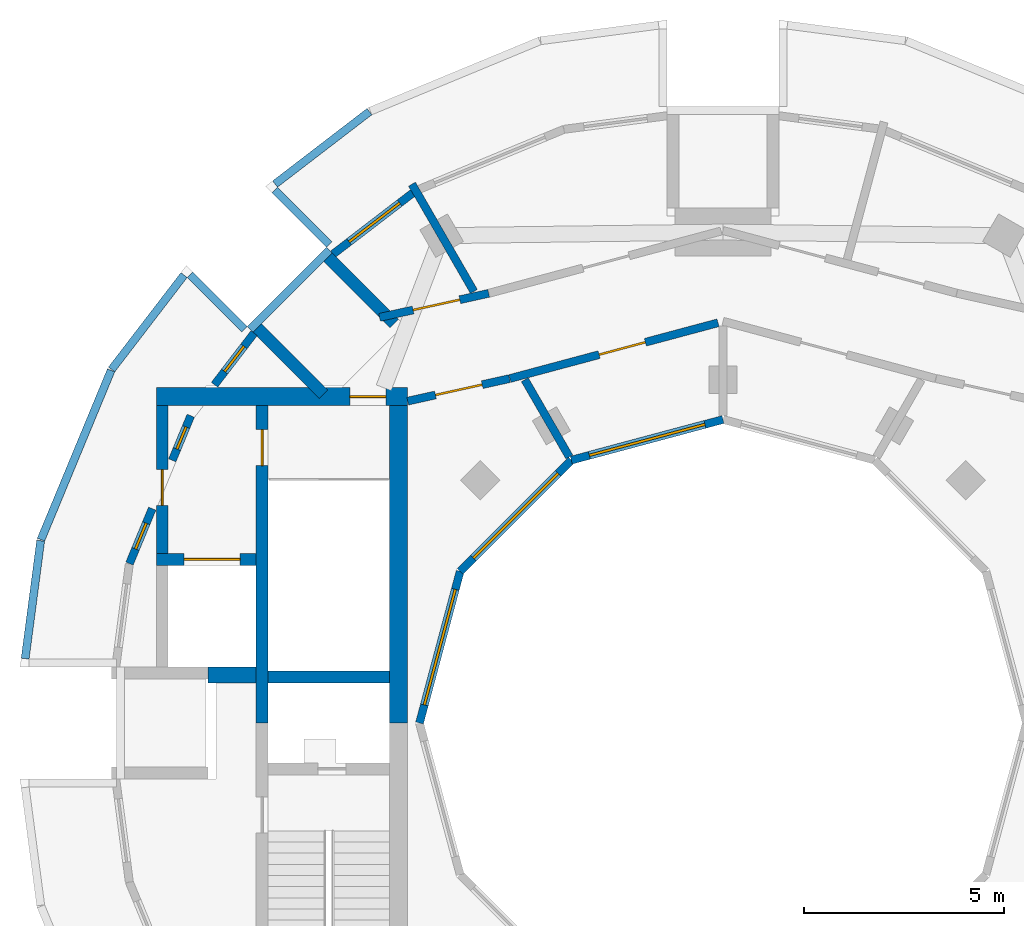
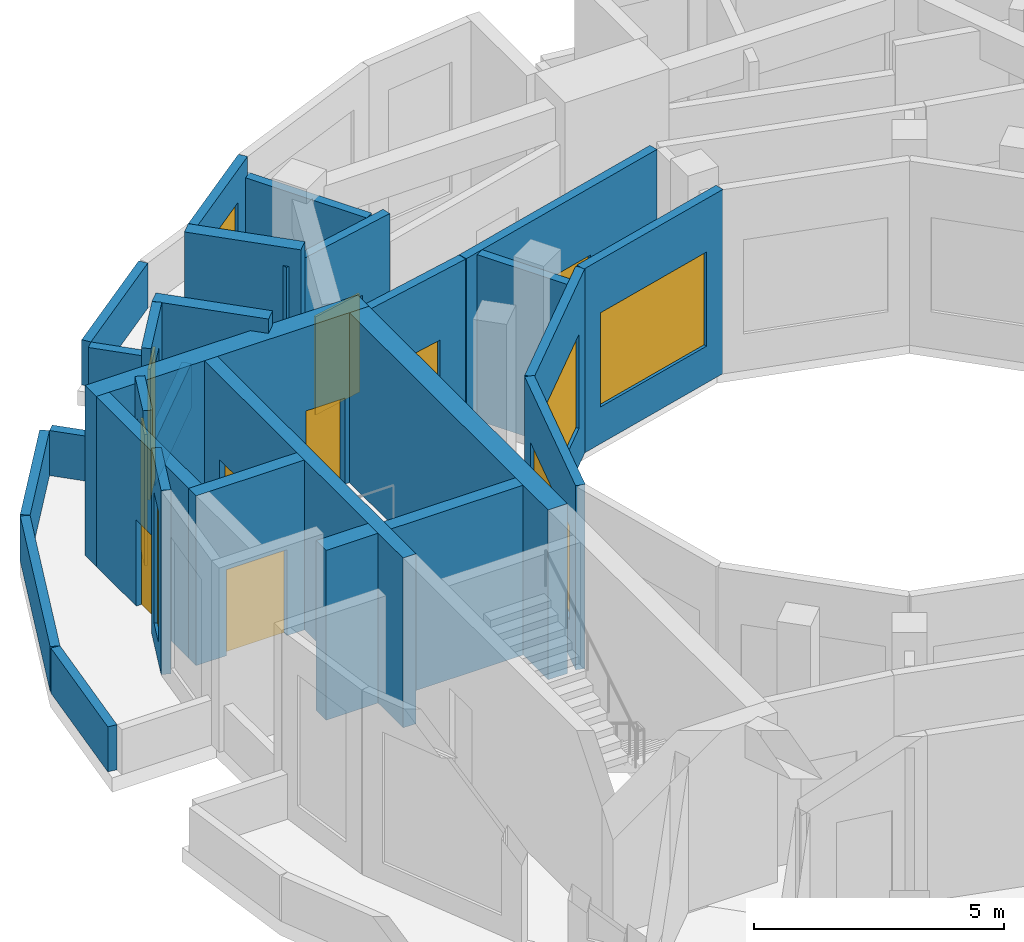
# One storey, part 4 of 7: 28 walls, 7 doors, 7 windows, 14 openings.
"""IFC4 building model written with IfcOpenShell, lengths in metres."""

from ifc_helpers import new_model, si_unit, direction, frame, frame_2d, origin, place, context, subcontext, project, spatial, rectangle, extrude, material, layer, layer_set, type_object, element, fill, save


model = new_model("IFC4")

# Units and contexts
model_context = context("Model", 3, precision=1e-05, world=origin(), true_north=direction((0.0, 1.0)))
body_context = subcontext(model_context, "Body", "Model", "MODEL_VIEW")
ifc_project = project(units=[si_unit("LENGTHUNIT", "METRE"), si_unit("AREAUNIT", "SQUARE_METRE"), si_unit("VOLUMEUNIT", "CUBIC_METRE"), si_unit("PLANEANGLEUNIT", "RADIAN"), si_unit("MASSUNIT", "GRAM", prefix="KILO")], contexts=[model_context])

# Site, building, storey
site_placement = place(None, origin())
site = spatial("IfcSite", under=ifc_project, at=site_placement, CompositionType="ELEMENT")
building_placement = place(site_placement, origin())
building = spatial("IfcBuilding", under=site, at=building_placement, Name="Torre Brocal", CompositionType="ELEMENT")
storey_placement = place(building_placement, frame((0.0, 0.0, 333.10009765625)))
storey = spatial("IfcBuildingStorey", under=building, at=storey_placement, Name="L76", CompositionType="ELEMENT", Elevation=333.10009765625)

# Wall, opening, door
ifc_material_1 = material(Name="Concrete C50", Category="concrete")
ifc_layer_1 = layer(ifc_material_1, 0.300048828125)
ifc_layer_set_1 = layer_set([ifc_layer_1], Name="Concrete C50")
wall_type_1 = type_object("IfcWallType", Name="CORE WALL 300 C50 UNDER 350 SLAB", PredefinedType="SHEAR", material=ifc_layer_set_1)
wall_1_placement = place(storey_placement, frame((68.449951171875, 82.949951171875, 0.0), z_axis=(0.0, 0.0, 1.0), x_axis=(0.0, -1.0, 0.0)))
wall_1 = element("IfcWall", 1, at=wall_1_placement, inside=storey, type_object=wall_type_1, Name="Wall CW300-50-S350", PredefinedType="SHEAR", context=body_context, shape_type="SweptSolid", body=[
    extrude(rectangle(XDim=7.949951171875, YDim=0.300048828125, at=frame_2d((3.97509765625, 0.0))), origin(), (0.0, 0.0, 1.0), 4.14990234375),
])
opening_1_placement = place(wall_1_placement, frame((0.60009765625, 0.0, 0.0)))
opening_1 = element("IfcOpeningElement", 2, at=opening_1_placement, cuts=wall_1, Name="Opening W-D03", PredefinedType="OPENING", context=body_context, shape_type="SweptSolid", body=[
    extrude(rectangle(XDim=0.89990234375, YDim=2.10009765625, at=frame_2d((0.449951171875, 1.050048828125))), frame((0.0, 0.159912109375, 0.0), z_axis=(0.0, -1.0, 0.0), x_axis=(1.0, 0.0, 0.0)), (0.0, 0.0, 1.0), 0.320068359375),
])
ifc_material_2 = material(Name="Steel A653", Category="steel")
door_type_1 = type_object("IfcDoorType", Name="STAIR DOOR FD120 900X2100", OperationType="SINGLE_SWING_RIGHT", PredefinedType="DOOR", material=ifc_material_2)
door_1_placement = place(opening_1_placement, origin())
door_1 = element("IfcDoor", 3, at=door_1_placement, inside=storey, type_object=door_type_1, Name="Door W-D03", OperationType="SINGLE_SWING_LEFT", OverallHeight=2.10009765625, OverallWidth=0.89990234375, PredefinedType="DOOR", context=body_context, shape_type="SweptSolid", body=[
    extrude(rectangle(XDim=0.89990234375, YDim=2.10009765625, at=frame_2d((0.449951171875, 1.050048828125))), frame((0.0, 0.02490234375, 0.0), z_axis=(0.0, -1.0, 0.0), x_axis=(1.0, 0.0, 0.0)), (0.0, 0.0, 1.0), 0.050048828125),
])
fill(opening_1, door_1)

# Wall
wall_2_placement = place(storey_placement, frame((71.64990234375, 76.14990234375, 0.0), z_axis=(0.0, 0.0, 1.0), x_axis=(-1.0, 0.0, 0.0)))
element("IfcWall", 4, at=wall_2_placement, inside=storey, type_object=wall_type_1, Name="Wall CW300-50-S350", PredefinedType="SHEAR", context=body_context, shape_type="SweptSolid", body=[
    extrude(rectangle(XDim=3.0498046875, YDim=0.300048828125, at=frame_2d((1.52490234375, 0.0))), origin(), (0.0, 0.0, 1.0), 4.14990234375),
])

# Wall, opening, door
wall_3_placement = place(storey_placement, frame((68.300048828125, 79.10009765625, 0.0), z_axis=(0.0, 0.0, 1.0), x_axis=(-1.0, 0.0, 0.0)))
wall_3 = element("IfcWall", 5, at=wall_3_placement, inside=storey, type_object=wall_type_1, Name="Wall CW300-50-S350", PredefinedType="SHEAR", context=body_context, shape_type="SweptSolid", body=[
    extrude(rectangle(XDim=2.5, YDim=0.300048828125, at=frame_2d((1.25, 0.0))), origin(), (0.0, 0.0, 1.0), 4.14990234375),
])
opening_2_placement = place(wall_3_placement, frame((0.39990234375, 0.0, 0.0)))
opening_2 = element("IfcOpeningElement", 6, at=opening_2_placement, cuts=wall_3, Name="Opening LD14", PredefinedType="OPENING", context=body_context, shape_type="SweptSolid", body=[
    extrude(rectangle(XDim=1.39990234375, YDim=2.10009765625, at=frame_2d((0.699951171875, 1.050048828125))), frame((0.0, 0.159912109375, 0.0), z_axis=(0.0, -1.0, 0.0), x_axis=(1.0, 0.0, 0.0)), (0.0, 0.0, 1.0), 0.320068359375),
])
ifc_material_3 = material(Name="Stainless steel AISI 316", Category="steel")
door_type_2 = type_object("IfcDoorType", Name="LIFT LANDING DOOR 1400X2100", OperationType="DOUBLE_DOOR_SLIDING", PredefinedType="DOOR", material=ifc_material_3)
door_2_placement = place(opening_2_placement, origin())
door_2 = element("IfcDoor", 7, at=door_2_placement, inside=storey, type_object=door_type_2, Name="Door LD14", OperationType="DOUBLE_DOOR_SLIDING", OverallHeight=2.10009765625, OverallWidth=1.39990234375, PredefinedType="DOOR", context=body_context, shape_type="SweptSolid", body=[
    extrude(rectangle(XDim=1.39990234375, YDim=2.10009765625, at=frame_2d((0.699951171875, 1.050048828125))), frame((0.0, 0.02490234375, 0.0), z_axis=(0.0, -1.0, 0.0), x_axis=(1.0, 0.0, 0.0)), (0.0, 0.0, 1.0), 0.050048828125),
])
fill(opening_2, door_2)

wall_4_placement = place(storey_placement, frame((65.949951171875, 82.949951171875, 0.0), z_axis=(0.0, 0.0, 1.0), x_axis=(0.0, -1.0, 0.0)))
wall_4 = element("IfcWall", 8, at=wall_4_placement, inside=storey, type_object=wall_type_1, Name="Wall CW300-50-S350", PredefinedType="SHEAR", context=body_context, shape_type="SweptSolid", body=[
    extrude(rectangle(XDim=3.699951171875, YDim=0.300048828125, at=frame_2d((1.85009765625, 0.0))), origin(), (0.0, 0.0, 1.0), 4.14990234375),
])
opening_3_placement = place(wall_4_placement, frame((1.60009765625, 0.0, 0.0)))
opening_3 = element("IfcOpeningElement", 9, at=opening_3_placement, cuts=wall_4, Name="Opening W-D04", PredefinedType="OPENING", context=body_context, shape_type="SweptSolid", body=[
    extrude(rectangle(XDim=0.89990234375, YDim=2.10009765625, at=frame_2d((0.449951171875, 1.050048828125))), frame((0.0, 0.159912109375, 0.0), z_axis=(0.0, -1.0, 0.0), x_axis=(1.0, 0.0, 0.0)), (0.0, 0.0, 1.0), 0.320068359375),
])
ifc_material_4 = material(Name="Steel A653", Category="steel")
door_type_3 = type_object("IfcDoorType", Name="ROOM DOOR FD30S 900X2100", OperationType="SINGLE_SWING_LEFT", PredefinedType="DOOR", material=ifc_material_4)
door_3_placement = place(opening_3_placement, frame((0.89990234375, 0.0, 0.0), z_axis=(0.0, 0.0, 1.0), x_axis=(-1.0, 0.0, 0.0)))
door_3 = element("IfcDoor", 10, at=door_3_placement, inside=storey, type_object=door_type_3, Name="Door W-D04", OperationType="SINGLE_SWING_LEFT", OverallHeight=2.10009765625, OverallWidth=0.89990234375, PredefinedType="DOOR", context=body_context, shape_type="SweptSolid", body=[
    extrude(rectangle(XDim=0.89990234375, YDim=2.10009765625, at=frame_2d((0.449951171875, 1.050048828125))), frame((0.0, 0.02490234375, 0.0), z_axis=(0.0, -1.0, 0.0), x_axis=(1.0, 0.0, 0.0)), (0.0, 0.0, 1.0), 0.050048828125),
])
fill(opening_3, door_3)

# Wall
ifc_material_5 = material(Name="Concrete C50", Category="concrete")
ifc_layer_2 = layer(ifc_material_5, 0.39990234375)
ifc_layer_set_2 = layer_set([ifc_layer_2], Name="Concrete C50")
wall_type_2 = type_object("IfcWallType", Name="CORE WALL 400 C50 UNDER 350 SLAB", PredefinedType="SHEAR", material=ifc_layer_set_2)
wall_5_placement = place(storey_placement, frame((68.300048828125, 76.199951171875, 0.0), z_axis=(0.0, 0.0, 1.0), x_axis=(-1.0, 0.0, 0.0)))
element("IfcWall", 11, at=wall_5_placement, inside=storey, type_object=wall_type_2, Name="Wall CW400-50-S350", PredefinedType="SHEAR", context=body_context, shape_type="SweptSolid", body=[
    extrude(rectangle(XDim=1.199951171875, YDim=0.39990234375, at=frame_2d((0.60009765625, 0.0))), origin(), (0.0, 0.0, 1.0), 4.14990234375),
])

# Wall, opening, door
ifc_material_6 = material(Name="Concrete C50", Category="concrete")
ifc_layer_3 = layer(ifc_material_6, 0.449951171875)
ifc_layer_set_3 = layer_set([ifc_layer_3], Name="Concrete C50")
wall_type_3 = type_object("IfcWallType", Name="CORE WALL 450 C50 UNDER 350 SLAB", PredefinedType="SHEAR", material=ifc_layer_set_3)
wall_6_placement = place(storey_placement, frame((72.10009765625, 83.175048828125, 0.0), z_axis=(0.0, 0.0, 1.0), x_axis=(-1.0, 0.0, 0.0)))
wall_6 = element("IfcWall", 12, at=wall_6_placement, inside=storey, type_object=wall_type_3, Name="Wall CW450-50-S350", PredefinedType="SHEAR", context=body_context, shape_type="SweptSolid", body=[
    extrude(rectangle(XDim=6.300048828125, YDim=0.449951171875, at=frame_2d((3.14990234375, 0.0))), origin(), (0.0, 0.0, 1.0), 4.14990234375),
])
opening_4_placement = place(wall_6_placement, frame((0.550048828125, 0.0, 0.0)))
opening_4 = element("IfcOpeningElement", 13, at=opening_4_placement, cuts=wall_6, Name="Opening W-D20", PredefinedType="OPENING", context=body_context, shape_type="SweptSolid", body=[
    extrude(rectangle(XDim=0.89990234375, YDim=2.10009765625, at=frame_2d((0.449951171875, 1.050048828125))), frame((0.0, 0.23486328125, 0.0), z_axis=(0.0, -1.0, 0.0), x_axis=(1.0, 0.0, 0.0)), (0.0, 0.0, 1.0), 0.469970703125),
])
door_4_placement = place(opening_4_placement, origin())
door_4 = element("IfcDoor", 14, at=door_4_placement, inside=storey, type_object=door_type_1, Name="Door W-D20", OperationType="SINGLE_SWING_LEFT", OverallHeight=2.10009765625, OverallWidth=0.89990234375, PredefinedType="DOOR", context=body_context, shape_type="SweptSolid", body=[
    extrude(rectangle(XDim=0.89990234375, YDim=2.10009765625, at=frame_2d((0.449951171875, 1.050048828125))), frame((0.0, 0.02490234375, 0.0), z_axis=(0.0, -1.0, 0.0), x_axis=(1.0, 0.0, 0.0)), (0.0, 0.0, 1.0), 0.050048828125),
])
fill(opening_4, door_4)

# Wall
wall_7_placement = place(storey_placement, frame((71.875, 82.949951171875, 0.0), z_axis=(0.0, 0.0, 1.0), x_axis=(0.0, -1.0, 0.0)))
element("IfcWall", 15, at=wall_7_placement, inside=storey, type_object=wall_type_3, Name="Wall CW450-50-S350", PredefinedType="SHEAR", context=body_context, shape_type="SweptSolid", body=[
    extrude(rectangle(XDim=7.949951171875, YDim=0.449951171875, at=frame_2d((3.97509765625, 0.0))), origin(), (0.0, 0.0, 1.0), 4.14990234375),
])

# Wall, opening, window
ifc_material_7 = material(Name="Concrete C40", Category="concrete")
ifc_layer_4 = layer(ifc_material_7, 0.199951171875)
ifc_layer_set_4 = layer_set([ifc_layer_4], Name="Concrete C40")
wall_type_4 = type_object("IfcWallType", Name="LOUVRED PLANT WALL 200", PredefinedType="NOTDEFINED", material=ifc_layer_set_4)
wall_8_placement = place(storey_placement, frame((72.300537109375, 88.3359375, 0.0), z_axis=(0.0, 0.0, 1.0), x_axis=(-0.793402901715, -0.608696833859, 0.0)))
wall_8 = element("IfcWall", 16, at=wall_8_placement, inside=storey, type_object=wall_type_4, Name="LOUVRED PLANT WALL", PredefinedType="NOTDEFINED", context=body_context, shape_type="SweptSolid", body=[
    extrude(rectangle(XDim=2.60791015625, YDim=0.199951171875, at=frame_2d((1.303955078125, 0.0))), origin(), (0.0, 0.0, 1.0), 4.5),
])
opening_5_placement = place(wall_8_placement, frame((0.50390625, 0.0, 0.5)))
opening_5 = element("IfcOpeningElement", 17, at=opening_5_placement, cuts=wall_8, Name="Opening LV-1600-3200", PredefinedType="OPENING", context=body_context, shape_type="SweptSolid", body=[
    extrude(rectangle(XDim=1.60009765625, YDim=3.199951171875, at=frame_2d((0.800048828125, 1.60009765625))), frame((0.0, 0.10986328125, 0.0), z_axis=(0.0, -1.0, 0.0), x_axis=(1.0, 0.0, 0.0)), (0.0, 0.0, 1.0), 0.219970703125),
])
ifc_material_8 = material(Name="Aluminium louvre", Category="aluminium")
window_type_1 = type_object("IfcWindowType", Name="LOUVRE PANEL 1600X3200", PartitioningType="SINGLE_PANEL", PredefinedType="USERDEFINED", material=ifc_material_8)
window_1_placement = place(opening_5_placement, origin())
window_1 = element("IfcWindow", 18, at=window_1_placement, inside=storey, type_object=window_type_1, Name="LOUVRE PANEL 1600X3200", ObjectType="LOUVRE", OverallHeight=3.199951171875, OverallWidth=1.60009765625, PartitioningType="SINGLE_PANEL", PredefinedType="USERDEFINED", context=body_context, shape_type="SweptSolid", body=[
    extrude(rectangle(XDim=1.60009765625, YDim=3.199951171875, at=frame_2d((0.800048828125, 1.60009765625))), frame((0.0, 0.030029296875, 0.0), z_axis=(0.0, -1.0, 0.0), x_axis=(1.0, 0.0, 0.0)), (0.0, 0.0, 1.0), 0.06005859375),
])
fill(opening_5, window_1)

wall_9_placement = place(storey_placement, frame((68.25146484375, 84.7685546875, 0.0), z_axis=(0.0, 0.0, 1.0), x_axis=(-0.608711363192, -0.793391754633, 0.0)))
wall_9 = element("IfcWall", 19, at=wall_9_placement, inside=storey, type_object=wall_type_4, Name="LOUVRED PLANT WALL", PredefinedType="NOTDEFINED", context=body_context, shape_type="SweptSolid", body=[
    extrude(rectangle(XDim=1.6298828125, YDim=0.199951171875, at=frame_2d((0.81494140625, 0.0))), origin(), (0.0, 0.0, 1.0), 4.5),
])
opening_6_placement = place(wall_9_placement, frame((0.4150390625, 0.0, 0.5)))
opening_6 = element("IfcOpeningElement", 20, at=opening_6_placement, cuts=wall_9, Name="Opening LV-800-3200", PredefinedType="OPENING", context=body_context, shape_type="SweptSolid", body=[
    extrude(rectangle(XDim=0.800048828125, YDim=3.199951171875, at=frame_2d((0.39990234375, 1.60009765625))), frame((0.0, 0.10986328125, 0.0), z_axis=(0.0, -1.0, 0.0), x_axis=(1.0, 0.0, 0.0)), (0.0, 0.0, 1.0), 0.219970703125),
])
ifc_material_9 = material(Name="Aluminium louvre", Category="aluminium")
window_type_2 = type_object("IfcWindowType", Name="LOUVRE PANEL 800X3200", PartitioningType="SINGLE_PANEL", PredefinedType="USERDEFINED", material=ifc_material_9)
window_2_placement = place(opening_6_placement, origin())
window_2 = element("IfcWindow", 21, at=window_2_placement, inside=storey, type_object=window_type_2, Name="LOUVRE PANEL 800X3200", ObjectType="LOUVRE", OverallHeight=3.199951171875, OverallWidth=0.800048828125, PartitioningType="SINGLE_PANEL", PredefinedType="USERDEFINED", context=body_context, shape_type="SweptSolid", body=[
    extrude(rectangle(XDim=0.800048828125, YDim=3.199951171875, at=frame_2d((0.39990234375, 1.60009765625))), frame((0.0, 0.030029296875, 0.0), z_axis=(0.0, -1.0, 0.0), x_axis=(1.0, 0.0, 0.0)), (0.0, 0.0, 1.0), 0.06005859375),
])
fill(opening_6, window_2)

wall_10_placement = place(storey_placement, frame((66.6640625, 82.699462890625, 0.0), z_axis=(0.0, 0.0, 1.0), x_axis=(-0.382809221062, -0.923827419094, 0.0)))
wall_10 = element("IfcWall", 22, at=wall_10_placement, inside=storey, type_object=wall_type_4, Name="LOUVRED PLANT WALL", PredefinedType="NOTDEFINED", context=body_context, shape_type="SweptSolid", body=[
    extrude(rectangle(XDim=1.209716796875, YDim=0.199951171875, at=frame_2d((0.60498046875, 0.0))), origin(), (0.0, 0.0, 1.0), 4.5),
])
opening_7_placement = place(wall_10_placement, frame((0.304931640625, 0.0, 0.5)))
opening_7 = element("IfcOpeningElement", 23, at=opening_7_placement, cuts=wall_10, Name="Opening LV-600-3200", PredefinedType="OPENING", context=body_context, shape_type="SweptSolid", body=[
    extrude(rectangle(XDim=0.60009765625, YDim=3.199951171875, at=frame_2d((0.300048828125, 1.60009765625))), frame((0.0, 0.10986328125, 0.0), z_axis=(0.0, -1.0, 0.0), x_axis=(1.0, 0.0, 0.0)), (0.0, 0.0, 1.0), 0.219970703125),
])
ifc_material_10 = material(Name="Aluminium louvre", Category="aluminium")
window_type_3 = type_object("IfcWindowType", Name="LOUVRE PANEL 600X3200", PartitioningType="SINGLE_PANEL", PredefinedType="USERDEFINED", material=ifc_material_10)
window_3_placement = place(opening_7_placement, origin())
window_3 = element("IfcWindow", 24, at=window_3_placement, inside=storey, type_object=window_type_3, Name="LOUVRE PANEL 600X3200", ObjectType="LOUVRE", OverallHeight=3.199951171875, OverallWidth=0.60009765625, PartitioningType="SINGLE_PANEL", PredefinedType="USERDEFINED", context=body_context, shape_type="SweptSolid", body=[
    extrude(rectangle(XDim=0.60009765625, YDim=3.199951171875, at=frame_2d((0.300048828125, 1.60009765625))), frame((0.0, 0.030029296875, 0.0), z_axis=(0.0, -1.0, 0.0), x_axis=(1.0, 0.0, 0.0)), (0.0, 0.0, 1.0), 0.06005859375),
])
fill(opening_7, window_3)

wall_11_placement = place(storey_placement, frame((65.69970703125, 80.371337890625, 0.0), z_axis=(0.0, 0.0, 1.0), x_axis=(-0.38277629043, -0.923841063974, 0.0)))
wall_11 = element("IfcWall", 25, at=wall_11_placement, inside=storey, type_object=wall_type_4, Name="LOUVRED PLANT WALL", PredefinedType="NOTDEFINED", context=body_context, shape_type="SweptSolid", body=[
    extrude(rectangle(XDim=1.489990234375, YDim=0.199951171875, at=frame_2d((0.7451171875, 0.0))), origin(), (0.0, 0.0, 1.0), 4.5),
])
opening_8_placement = place(wall_11_placement, frame((0.39501953125, 0.0, 0.5)))
opening_8 = element("IfcOpeningElement", 26, at=opening_8_placement, cuts=wall_11, Name="Opening LV-700-3200", PredefinedType="OPENING", context=body_context, shape_type="SweptSolid", body=[
    extrude(rectangle(XDim=0.699951171875, YDim=3.199951171875, at=frame_2d((0.35009765625, 1.60009765625))), frame((0.0, 0.10986328125, 0.0), z_axis=(0.0, -1.0, 0.0), x_axis=(1.0, 0.0, 0.0)), (0.0, 0.0, 1.0), 0.219970703125),
])
ifc_material_11 = material(Name="Aluminium louvre", Category="aluminium")
window_type_4 = type_object("IfcWindowType", Name="LOUVRE PANEL 700X3200", PartitioningType="SINGLE_PANEL", PredefinedType="USERDEFINED", material=ifc_material_11)
window_4_placement = place(opening_8_placement, origin())
window_4 = element("IfcWindow", 27, at=window_4_placement, inside=storey, type_object=window_type_4, Name="LOUVRE PANEL 700X3200", ObjectType="LOUVRE", OverallHeight=3.199951171875, OverallWidth=0.699951171875, PartitioningType="SINGLE_PANEL", PredefinedType="USERDEFINED", context=body_context, shape_type="SweptSolid", body=[
    extrude(rectangle(XDim=0.699951171875, YDim=3.199951171875, at=frame_2d((0.35009765625, 1.60009765625))), frame((0.0, 0.030029296875, 0.0), z_axis=(0.0, -1.0, 0.0), x_axis=(1.0, 0.0, 0.0)), (0.0, 0.0, 1.0), 0.06005859375),
])
fill(opening_8, window_4)

# Walls
ifc_material_12 = material(Name="Concrete C50", Category="concrete")
ifc_layer_5 = layer(ifc_material_12, 0.300048828125)
ifc_layer_set_5 = layer_set([ifc_layer_5], Name="Concrete C50")
wall_type_5 = type_object("IfcWallType", Name="NOTCH RETURN WALL 300 C50", PredefinedType="NOTDEFINED", material=ifc_layer_set_5)
for number, where, z_axis, x_axis, name in (
    (28, (71.76220703125, 85.005615234375, 0.0), (0.0, 0.0, 1.0), (-0.707157312274, 0.707056246487, 0.0), "NOTCH RETURN WALL"),
    (29, (69.994384765625, 83.23779296875, 0.0), (0.0, 0.0, 1.0), (-0.707056246487, 0.707157312274, 0.0), "NOTCH RETURN WALL"),
):
    element("IfcWall", number, at=place(storey_placement, frame(where, z_axis=z_axis, x_axis=x_axis)), inside=storey, type_object=wall_type_5, Name=name, PredefinedType="NOTDEFINED", context=body_context, shape_type="SweptSolid", body=[
        extrude(rectangle(XDim=2.415771484375, YDim=0.300048828125, at=frame_2d((1.2080078125, 0.0))), origin(), (0.0, 0.0, 1.0), 4.5),
    ])
ifc_material_13 = material(Name="Concrete C40", Category="concrete")
ifc_layer_6 = layer(ifc_material_13, 0.199951171875)
ifc_layer_set_6 = layer_set([ifc_layer_6], Name="Concrete C40")
wall_type_6 = type_object("IfcWallType", Name="PARAPET WALL 200 THICK 1100 HIGH 8", PredefinedType="PARAPET", material=ifc_layer_set_6)
wall_12_placement = place(storey_placement, frame((62.514892578125, 76.613037109375, 0.0), z_axis=(0.0, 0.0, 1.0), x_axis=(0.130515974463, 0.991446206513, 0.0)))
element("IfcWall", 30, at=wall_12_placement, inside=storey, type_object=wall_type_6, Name="PARAPET WALL 30", PredefinedType="PARAPET", context=body_context, shape_type="SweptSolid", body=[
    extrude(rectangle(XDim=2.979736328125, YDim=0.199951171875, at=frame_2d((1.48974609375, 0.0))), origin(), (0.0, 0.0, 1.0), 1.099853515625),
])
wall_13_placement = place(storey_placement, frame((62.91064453125, 79.592529296875, 0.0), z_axis=(0.0, 0.0, 1.0), x_axis=(0.382670986147, 0.923884687805, 0.0)))
element("IfcWall", 31, at=wall_13_placement, inside=storey, type_object=wall_type_6, Name="PARAPET WALL 31", PredefinedType="PARAPET", context=body_context, shape_type="SweptSolid", body=[
    extrude(rectangle(XDim=4.593505859375, YDim=0.199951171875, at=frame_2d((2.296875, 0.0))), origin(), (0.0, 0.0, 1.0), 1.099853515625),
])
wall_14_placement = place(storey_placement, frame((64.681640625, 83.859130859375, 0.0), z_axis=(0.0, 0.0, 1.0), x_axis=(0.608760025056, 0.79335441758, 0.0)))
element("IfcWall", 32, at=wall_14_placement, inside=storey, type_object=wall_type_6, Name="PARAPET WALL 32", PredefinedType="PARAPET", context=body_context, shape_type="SweptSolid", body=[
    extrude(rectangle(XDim=2.979736328125, YDim=0.199951171875, at=frame_2d((1.48974609375, 0.0))), origin(), (0.0, 0.0, 1.0), 1.099853515625),
])
wall_15_placement = place(storey_placement, frame((66.645751953125, 86.23291015625, 0.0), z_axis=(0.0, 0.0, 1.0), x_axis=(0.707169839712, -0.707043717037, 0.0)))
element("IfcWall", 33, at=wall_15_placement, inside=storey, type_object=wall_type_6, Name="PARAPET WALL 33", PredefinedType="PARAPET", context=body_context, shape_type="SweptSolid", body=[
    extrude(rectangle(XDim=1.935791015625, YDim=0.199951171875, at=frame_2d((0.9677734375, 0.0))), origin(), (0.0, 0.0, 1.0), 1.099853515625),
])
wall_16_placement = place(storey_placement, frame((68.156005859375, 84.8642578125, 0.0), z_axis=(0.0, 0.0, 1.0), x_axis=(0.707106781187, 0.707106781187, 0.0)))
element("IfcWall", 34, at=wall_16_placement, inside=storey, type_object=wall_type_6, Name="PARAPET WALL 34", PredefinedType="PARAPET", context=body_context, shape_type="SweptSolid", body=[
    extrude(rectangle(XDim=2.7998046875, YDim=0.199951171875, at=frame_2d((1.39990234375, 0.0))), origin(), (0.0, 0.0, 1.0), 1.099853515625),
])
wall_17_placement = place(storey_placement, frame((70.1357421875, 86.9853515625, 0.0), z_axis=(0.0, 0.0, 1.0), x_axis=(-0.707043717037, 0.707169839712, 0.0)))
element("IfcWall", 35, at=wall_17_placement, inside=storey, type_object=wall_type_6, Name="PARAPET WALL 35", PredefinedType="PARAPET", context=body_context, shape_type="SweptSolid", body=[
    extrude(rectangle(XDim=1.935791015625, YDim=0.199951171875, at=frame_2d((0.9677734375, 0.0))), origin(), (0.0, 0.0, 1.0), 1.099853515625),
])
wall_18_placement = place(storey_placement, frame((68.77685546875, 88.50439453125, 0.0), z_axis=(0.0, 0.0, 1.0), x_axis=(0.79335441758, 0.608760025056, 0.0)))
element("IfcWall", 36, at=wall_18_placement, inside=storey, type_object=wall_type_6, Name="PARAPET WALL 36", PredefinedType="PARAPET", context=body_context, shape_type="SweptSolid", body=[
    extrude(rectangle(XDim=2.979736328125, YDim=0.199951171875, at=frame_2d((1.48974609375, 0.0))), origin(), (0.0, 0.0, 1.0), 1.099853515625),
])

# Wall, opening, door
ifc_material_14 = material(Name="Masonry block", Category="masonry")
ifc_layer_7 = layer(ifc_material_14, 0.199951171875)
ifc_layer_set_7 = layer_set([ifc_layer_7], Name="Masonry block")
wall_type_7 = type_object("IfcWallType", Name="PARTITION 200 EI120", PredefinedType="PARTITIONING", material=ifc_layer_set_7)
wall_19_placement = place(storey_placement, frame((71.394775390625, 85.1630859375, 0.0), z_axis=(0.0, 0.0, 1.0), x_axis=(0.976593576861, 0.215092969745, 0.0)))
wall_19 = element("IfcWall", 37, at=wall_19_placement, inside=storey, type_object=wall_type_7, Name="PLANT ROOM WALL", PredefinedType="PARTITIONING", context=body_context, shape_type="SweptSolid", body=[
    extrude(rectangle(XDim=2.800048828125, YDim=0.199951171875, at=frame_2d((1.39990234375, 0.0))), origin(), (0.0, 0.0, 1.0), 4.0498046875),
])
opening_9_placement = place(wall_19_placement, frame((0.859375, 0.0, 0.0)))
opening_9 = element("IfcOpeningElement", 38, at=opening_9_placement, cuts=wall_19, Name="Opening X5-D04", PredefinedType="OPENING", context=body_context, shape_type="SweptSolid", body=[
    extrude(rectangle(XDim=1.199951171875, YDim=2.39990234375, at=frame_2d((0.60009765625, 1.199951171875))), frame((0.0, 0.10986328125, 0.0), z_axis=(0.0, -1.0, 0.0), x_axis=(1.0, 0.0, 0.0)), (0.0, 0.0, 1.0), 0.219970703125),
])
ifc_material_15 = material(Name="Steel A653", Category="steel")
door_type_4 = type_object("IfcDoorType", Name="PLANT DOOR FD90 1200X2400", OperationType="SINGLE_SWING_RIGHT", PredefinedType="DOOR", material=ifc_material_15)
door_5_placement = place(opening_9_placement, origin())
door_5 = element("IfcDoor", 39, at=door_5_placement, inside=storey, type_object=door_type_4, Name="X5-D04", OperationType="SINGLE_SWING_LEFT", OverallHeight=2.39990234375, OverallWidth=1.199951171875, PredefinedType="DOOR", context=body_context, shape_type="SweptSolid", body=[
    extrude(rectangle(XDim=1.199951171875, YDim=2.39990234375, at=frame_2d((0.60009765625, 1.199951171875))), frame((0.0, 0.02490234375, 0.0), z_axis=(0.0, -1.0, 0.0), x_axis=(1.0, 0.0, 0.0)), (0.0, 0.0, 1.0), 0.050048828125),
])
fill(opening_9, door_5)

wall_20_placement = place(storey_placement, frame((72.10009765625, 83.06494140625, 0.0), z_axis=(0.0, 0.0, 1.0), x_axis=(0.976423939717, 0.215861738037, 0.0)))
wall_20 = element("IfcWall", 40, at=wall_20_placement, inside=storey, type_object=wall_type_7, Name="PLANT ROOM WALL", PredefinedType="PARTITIONING", context=body_context, shape_type="SweptSolid", body=[
    extrude(rectangle(XDim=2.612548828125, YDim=0.199951171875, at=frame_2d((1.30615234375, 0.0))), origin(), (0.0, 0.0, 1.0), 4.0498046875),
])
opening_10_placement = place(wall_20_placement, frame((0.71142578125, 0.0, 0.0)))
opening_10 = element("IfcOpeningElement", 41, at=opening_10_placement, cuts=wall_20, Name="Opening X5-D08", PredefinedType="OPENING", context=body_context, shape_type="SweptSolid", body=[
    extrude(rectangle(XDim=1.199951171875, YDim=2.39990234375, at=frame_2d((0.60009765625, 1.199951171875))), frame((0.0, 0.10986328125, 0.0), z_axis=(0.0, -1.0, 0.0), x_axis=(1.0, 0.0, 0.0)), (0.0, 0.0, 1.0), 0.219970703125),
])
door_6_placement = place(opening_10_placement, frame((1.199951171875, 0.0, 0.0), z_axis=(0.0, 0.0, 1.0), x_axis=(-1.0, 0.0, 0.0)))
door_6 = element("IfcDoor", 42, at=door_6_placement, inside=storey, type_object=door_type_4, Name="X5-D08", OperationType="SINGLE_SWING_RIGHT", OverallHeight=2.39990234375, OverallWidth=1.199951171875, PredefinedType="DOOR", context=body_context, shape_type="SweptSolid", body=[
    extrude(rectangle(XDim=1.199951171875, YDim=2.39990234375, at=frame_2d((0.60009765625, 1.199951171875))), frame((0.0, 0.02490234375, 0.0), z_axis=(0.0, -1.0, 0.0), x_axis=(1.0, 0.0, 0.0)), (0.0, 0.0, 1.0), 0.050048828125),
])
fill(opening_10, door_6)

# Wall
wall_21_placement = place(storey_placement, frame((72.207763671875, 88.50048828125, 0.0), z_axis=(0.0, 0.0, 1.0), x_axis=(0.499692942151, -0.866202611151, 0.0)))
element("IfcWall", 43, at=wall_21_placement, inside=storey, type_object=wall_type_7, Name="PLANT ROOM WALL", PredefinedType="PARTITIONING", context=body_context, shape_type="SweptSolid", body=[
    extrude(rectangle(XDim=3.103515625, YDim=0.199951171875, at=frame_2d((1.5517578125, 0.0))), origin(), (0.0, 0.0, 1.0), 4.0498046875),
])

# Wall, opening, door
wall_22_placement = place(storey_placement, frame((74.660888671875, 83.631103515625, 0.0), z_axis=(0.0, 0.0, 1.0), x_axis=(0.965971667126, 0.258647904127, 0.0)))
wall_22 = element("IfcWall", 44, at=wall_22_placement, inside=storey, type_object=wall_type_7, Name="PLANT ROOM WALL", PredefinedType="PARTITIONING", context=body_context, shape_type="SweptSolid", body=[
    extrude(rectangle(XDim=5.397216796875, YDim=0.199951171875, at=frame_2d((2.69873046875, 0.0))), origin(), (0.0, 0.0, 1.0), 4.0498046875),
])
opening_11_placement = place(wall_22_placement, frame((2.313232421875, 0.0, 0.0)))
opening_11 = element("IfcOpeningElement", 45, at=opening_11_placement, cuts=wall_22, Name="Opening X5-D07", PredefinedType="OPENING", context=body_context, shape_type="SweptSolid", body=[
    extrude(rectangle(XDim=1.199951171875, YDim=2.39990234375, at=frame_2d((0.60009765625, 1.199951171875))), frame((0.0, 0.10986328125, 0.0), z_axis=(0.0, -1.0, 0.0), x_axis=(1.0, 0.0, 0.0)), (0.0, 0.0, 1.0), 0.219970703125),
])
door_7_placement = place(opening_11_placement, frame((1.199951171875, 0.0, 0.0), z_axis=(0.0, 0.0, 1.0), x_axis=(-1.0, 0.0, 0.0)))
door_7 = element("IfcDoor", 46, at=door_7_placement, inside=storey, type_object=door_type_4, Name="X5-D07", OperationType="SINGLE_SWING_RIGHT", OverallHeight=2.39990234375, OverallWidth=1.199951171875, PredefinedType="DOOR", context=body_context, shape_type="SweptSolid", body=[
    extrude(rectangle(XDim=1.199951171875, YDim=2.39990234375, at=frame_2d((0.60009765625, 1.199951171875))), frame((0.0, 0.02490234375, 0.0), z_axis=(0.0, -1.0, 0.0), x_axis=(1.0, 0.0, 0.0)), (0.0, 0.0, 1.0), 0.050048828125),
])
fill(opening_11, door_7)

# Wall
wall_23_placement = place(storey_placement, frame((75.0341796875, 83.600830078125, 0.0), z_axis=(0.0, 0.0, 1.0), x_axis=(0.499643577634, -0.866231086563, 0.0)))
element("IfcWall", 47, at=wall_23_placement, inside=storey, type_object=wall_type_7, Name="PLANT ROOM WALL", PredefinedType="PARTITIONING", context=body_context, shape_type="SweptSolid", body=[
    extrude(rectangle(XDim=2.233154296875, YDim=0.199951171875, at=frame_2d((1.11669921875, 0.0))), origin(), (0.0, 0.0, 1.0), 4.0498046875),
])

# Wall, opening, window
ifc_material_16 = material(Name="Concrete C40", Category="concrete")
ifc_layer_8 = layer(ifc_material_16, 0.199951171875)
ifc_layer_set_8 = layer_set([ifc_layer_8], Name="Concrete C40")
wall_type_8 = type_object("IfcWallType", Name="WELL FACADE WALL 200", PredefinedType="NOTDEFINED", material=ifc_layer_set_8)
wall_24_placement = place(storey_placement, frame((80.0, 82.603515625, 0.0), z_axis=(0.0, 0.0, 1.0), x_axis=(-0.965933654434, -0.258789828301, 0.0)))
wall_24 = element("IfcWall", 48, at=wall_24_placement, inside=storey, type_object=wall_type_8, Name="WELL FACADE WALL", PredefinedType="NOTDEFINED", context=body_context, shape_type="SweptSolid", body=[
    extrude(rectangle(XDim=3.935791015625, YDim=0.199951171875, at=frame_2d((1.9677734375, 0.0))), origin(), (0.0, 0.0, 1.0), 4.5),
])
opening_12_placement = place(wall_24_placement, frame((0.468017578125, 0.0, 0.89990234375)))
opening_12 = element("IfcOpeningElement", 49, at=opening_12_placement, cuts=wall_24, Name="Opening W1", PredefinedType="OPENING", context=body_context, shape_type="SweptSolid", body=[
    extrude(rectangle(XDim=3.0, YDim=2.300048828125, at=frame_2d((1.5, 1.14990234375))), frame((0.0, 0.10986328125, 0.0), z_axis=(0.0, -1.0, 0.0), x_axis=(1.0, 0.0, 0.0)), (0.0, 0.0, 1.0), 0.219970703125),
])
ifc_material_17 = material(Name="Aluminium and glass", Category="aluminium")
window_type_5 = type_object("IfcWindowType", Name="WELL WINDOW 3000X2300", PartitioningType="SINGLE_PANEL", PredefinedType="WINDOW", material=ifc_material_17)
window_5_placement = place(opening_12_placement, origin())
window_5 = element("IfcWindow", 50, at=window_5_placement, inside=storey, type_object=window_type_5, Name="WELL WINDOW 3000X2300", OverallHeight=2.300048828125, OverallWidth=3.0, PartitioningType="SINGLE_PANEL", PredefinedType="WINDOW", context=body_context, shape_type="SweptSolid", body=[
    extrude(rectangle(XDim=3.0, YDim=2.300048828125, at=frame_2d((1.5, 1.14990234375))), frame((0.0, 0.030029296875, 0.0), z_axis=(0.0, -1.0, 0.0), x_axis=(1.0, 0.0, 0.0)), (0.0, 0.0, 1.0), 0.06005859375),
])
fill(opening_12, window_5)

wall_25_placement = place(storey_placement, frame((76.1982421875, 81.5849609375, 0.0), z_axis=(0.0, 0.0, 1.0), x_axis=(-0.707106781187, -0.707106781187, 0.0)))
wall_25 = element("IfcWall", 51, at=wall_25_placement, inside=storey, type_object=wall_type_8, Name="WELL FACADE WALL", PredefinedType="NOTDEFINED", context=body_context, shape_type="SweptSolid", body=[
    extrude(rectangle(XDim=3.93603515625, YDim=0.199951171875, at=frame_2d((1.968017578125, 0.0))), origin(), (0.0, 0.0, 1.0), 4.5),
])
opening_13_placement = place(wall_25_placement, frame((0.468017578125, 0.0, 0.89990234375)))
opening_13 = element("IfcOpeningElement", 52, at=opening_13_placement, cuts=wall_25, Name="Opening W1", PredefinedType="OPENING", context=body_context, shape_type="SweptSolid", body=[
    extrude(rectangle(XDim=3.0, YDim=2.300048828125, at=frame_2d((1.5, 1.14990234375))), frame((0.0, 0.10986328125, 0.0), z_axis=(0.0, -1.0, 0.0), x_axis=(1.0, 0.0, 0.0)), (0.0, 0.0, 1.0), 0.219970703125),
])
window_6_placement = place(opening_13_placement, origin())
window_6 = element("IfcWindow", 53, at=window_6_placement, inside=storey, type_object=window_type_5, Name="WELL WINDOW 3000X2300", OverallHeight=2.300048828125, OverallWidth=3.0, PartitioningType="SINGLE_PANEL", PredefinedType="WINDOW", context=body_context, shape_type="SweptSolid", body=[
    extrude(rectangle(XDim=3.0, YDim=2.300048828125, at=frame_2d((1.5, 1.14990234375))), frame((0.0, 0.030029296875, 0.0), z_axis=(0.0, -1.0, 0.0), x_axis=(1.0, 0.0, 0.0)), (0.0, 0.0, 1.0), 0.06005859375),
])
fill(opening_13, window_6)

wall_26_placement = place(storey_placement, frame((73.4150390625, 78.8017578125, 0.0), z_axis=(0.0, 0.0, 1.0), x_axis=(-0.258789828301, -0.965933654434, 0.0)))
wall_26 = element("IfcWall", 54, at=wall_26_placement, inside=storey, type_object=wall_type_8, Name="WELL FACADE WALL", PredefinedType="NOTDEFINED", context=body_context, shape_type="SweptSolid", body=[
    extrude(rectangle(XDim=3.935791015625, YDim=0.199951171875, at=frame_2d((1.9677734375, 0.0))), origin(), (0.0, 0.0, 1.0), 4.5),
])
opening_14_placement = place(wall_26_placement, frame((0.468017578125, 0.0, 0.89990234375)))
opening_14 = element("IfcOpeningElement", 55, at=opening_14_placement, cuts=wall_26, Name="Opening W1", PredefinedType="OPENING", context=body_context, shape_type="SweptSolid", body=[
    extrude(rectangle(XDim=3.0, YDim=2.300048828125, at=frame_2d((1.5, 1.14990234375))), frame((0.0, 0.10986328125, 0.0), z_axis=(0.0, -1.0, 0.0), x_axis=(1.0, 0.0, 0.0)), (0.0, 0.0, 1.0), 0.219970703125),
])
window_7_placement = place(opening_14_placement, origin())
window_7 = element("IfcWindow", 56, at=window_7_placement, inside=storey, type_object=window_type_5, Name="WELL WINDOW 3000X2300", OverallHeight=2.300048828125, OverallWidth=3.0, PartitioningType="SINGLE_PANEL", PredefinedType="WINDOW", context=body_context, shape_type="SweptSolid", body=[
    extrude(rectangle(XDim=3.0, YDim=2.300048828125, at=frame_2d((1.5, 1.14990234375))), frame((0.0, 0.030029296875, 0.0), z_axis=(0.0, -1.0, 0.0), x_axis=(1.0, 0.0, 0.0)), (0.0, 0.0, 1.0), 0.06005859375),
])
fill(opening_14, window_7)

save(model, "model.ifc")
